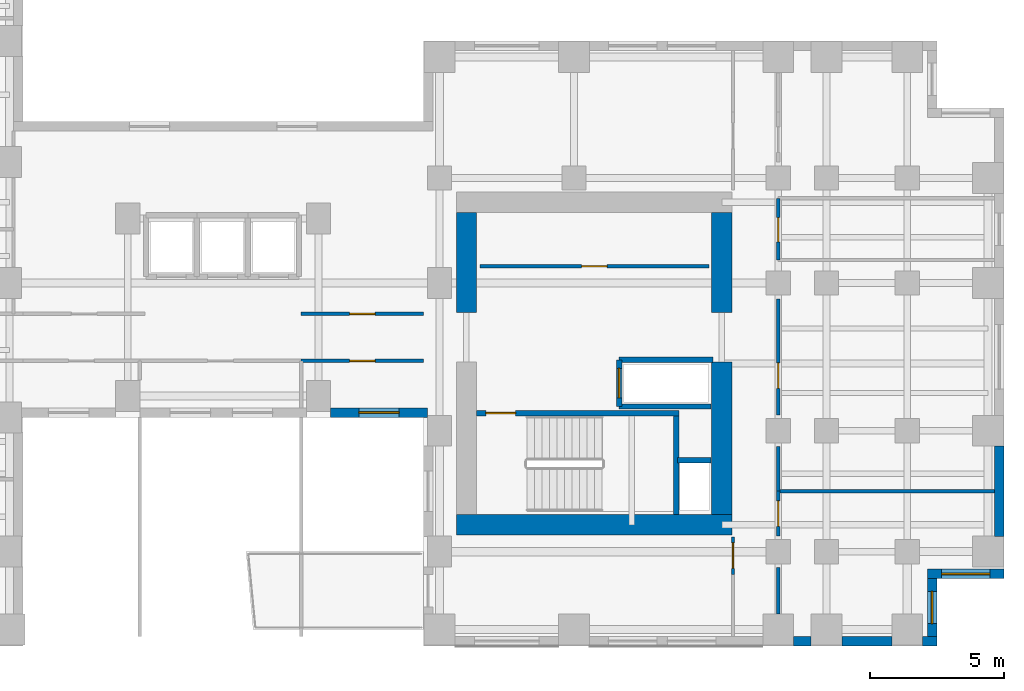
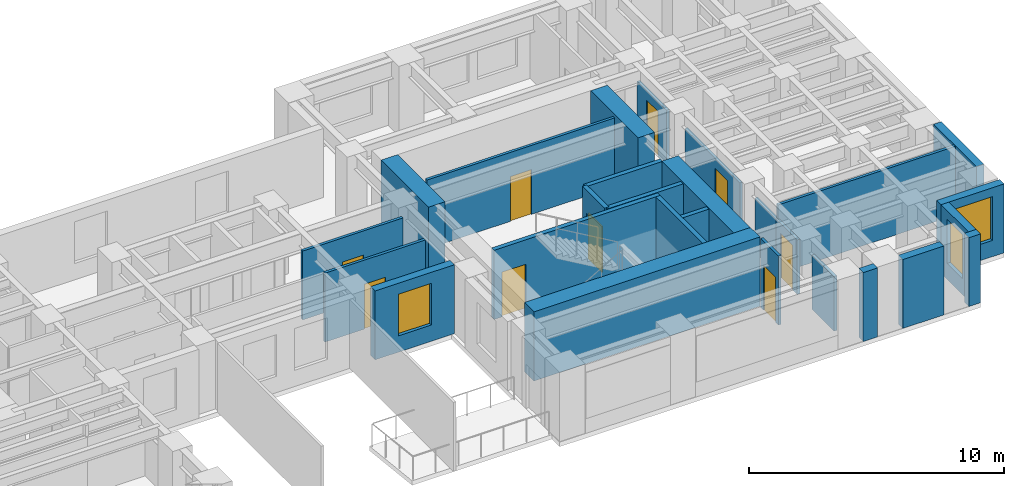
# One storey, part 7 of 12: 27 walls, 9 doors, 3 windows, 12 openings.
"""IFC4 building model written with IfcOpenShell, lengths in metres."""

from ifc_helpers import new_model, si_unit, direction, frame, frame_2d, origin, place, context, subcontext, project, spatial, rectangle, extrude, source, transform, mapped, material, layer, layer_set, type_object, element, fill, save


model = new_model("IFC4")

# Units and contexts
model_context = context("Model", 3, precision=1e-05, world=origin(), true_north=direction((0.0, 1.0)))
body_context = subcontext(model_context, "Body", "Model", "MODEL_VIEW")
ifc_project = project(units=[si_unit("LENGTHUNIT", "METRE"), si_unit("AREAUNIT", "SQUARE_METRE"), si_unit("VOLUMEUNIT", "CUBIC_METRE"), si_unit("PLANEANGLEUNIT", "RADIAN"), si_unit("MASSUNIT", "GRAM", prefix="KILO")], contexts=[model_context])

# Site, building, storey
site_placement = place(None, origin())
site = spatial("IfcSite", under=ifc_project, at=site_placement, CompositionType="ELEMENT")
building_placement = place(site_placement, origin())
building = spatial("IfcBuilding", under=site, at=building_placement, Name="Kharzan Plaza Tower", CompositionType="ELEMENT")
storey_placement = place(building_placement, frame((0.0, 0.0, 135.0)))
storey = spatial("IfcBuildingStorey", under=building, at=storey_placement, Name="L36", CompositionType="ELEMENT", Elevation=135.0)

# Wall, opening, window
ifc_material_1 = material(Name="Concrete C40/50", Category="concrete")
ifc_layer_1 = layer(ifc_material_1, 0.35009765625)
ifc_layer_set_1 = layer_set([ifc_layer_1], Name="Concrete C40/50")
wall_type_1 = type_object("IfcWallType", Name="WL-EXT-MAS-Z2", PredefinedType="SOLIDWALL", material=ifc_layer_set_1)
wall_1_placement = place(storey_placement, frame((30.947998046875, 8.675048828125, 0.0), z_axis=(0.0, 0.0, 1.0), x_axis=(1.0, 0.0, 0.0)))
wall_1 = element("IfcWall", 1, at=wall_1_placement, inside=storey, type_object=wall_type_1, Name="L36 Masonry-Frame Exterior Wall 36", PredefinedType="SOLIDWALL", context=body_context, shape_type="SweptSolid", body=[
    extrude(rectangle(XDim=3.60400390625, YDim=0.35009765625, at=frame_2d((1.802001953125, 0.0))), origin(), (0.0, 0.0, 1.0), 3.304931640625),
])
opening_1_placement = place(wall_1_placement, frame((1.052001953125, 0.0, 0.780029296875)))
opening_1 = element("IfcOpeningElement", 2, at=opening_1_placement, cuts=wall_1, Name="Opening W5", PredefinedType="OPENING", context=body_context, shape_type="SweptSolid", body=[
    extrude(rectangle(XDim=1.5, YDim=2.0, at=frame_2d((0.75, 1.0))), frame((0.0, 0.18505859375, 0.0), z_axis=(0.0, -1.0, 0.0), x_axis=(1.0, 0.0, 0.0)), (0.0, 0.0, 1.0), 0.3701171875),
])
ifc_material_2 = material(Name="Low-E Double Glazing", Category="glass")
window_type_1 = type_object("IfcWindowType", Name="WN-SLT-1500x2000", PartitioningType="SINGLE_PANEL", PredefinedType="WINDOW", material=ifc_material_2)
shared_shape_1 = source(origin(), body_context, "Body", "SweptSolid", [
    extrude(rectangle(XDim=1.5, YDim=2.0, at=frame_2d((0.75, 1.0))), frame((0.0, 0.030029296875, 0.0), z_axis=(0.0, -1.0, 0.0), x_axis=(1.0, 0.0, 0.0)), (0.0, 0.0, 1.0), 0.06005859375),
])
window_1_placement = place(opening_1_placement, origin())
window_1 = element("IfcWindow", 3, at=window_1_placement, inside=storey, type_object=window_type_1, Name="L36 Recessed Solar-Control Window 36-1", OverallHeight=2.0, OverallWidth=1.5, PartitioningType="SINGLE_PANEL", PredefinedType="WINDOW", context=body_context, shape_type="MappedRepresentation", body=[
    mapped(shared_shape_1, transform((0.0, 0.0, 0.0), x_axis=(1.0, 0.0, 0.0), y_axis=(0.0, 1.0, 0.0), z_axis=(0.0, 0.0, 1.0))),
])
fill(opening_1, window_1)

wall_2_placement = place(storey_placement, frame((53.324951171875, 0.347900390625, 0.0), z_axis=(0.0, 0.0, 1.0), x_axis=(0.0, 1.0, 0.0)))
wall_2 = element("IfcWall", 4, at=wall_2_placement, inside=storey, type_object=wall_type_1, Name="L36 Masonry-Frame Exterior Wall 44", PredefinedType="SOLIDWALL", context=body_context, shape_type="SweptSolid", body=[
    extrude(rectangle(XDim=2.154052734375, YDim=0.35009765625, at=frame_2d((1.0771484375, 0.0))), origin(), (0.0, 0.0, 1.0), 3.304931640625),
])
opening_2_placement = place(wall_2_placement, frame((0.47705078125, 0.0, 0.780029296875)))
opening_2 = element("IfcOpeningElement", 5, at=opening_2_placement, cuts=wall_2, Name="Opening W3", PredefinedType="OPENING", context=body_context, shape_type="SweptSolid", body=[
    extrude(rectangle(XDim=1.199951171875, YDim=2.10009765625, at=frame_2d((0.60009765625, 1.050048828125))), frame((0.0, 0.18505859375, 0.0), z_axis=(0.0, -1.0, 0.0), x_axis=(1.0, 0.0, 0.0)), (0.0, 0.0, 1.0), 0.3701171875),
])
window_type_2 = type_object("IfcWindowType", Name="WN-REC-1200x2100", PartitioningType="SINGLE_PANEL", PredefinedType="WINDOW", material=ifc_material_2)
shared_shape_2 = source(origin(), body_context, "Body", "SweptSolid", [
    extrude(rectangle(XDim=1.199951171875, YDim=2.10009765625, at=frame_2d((0.60009765625, 1.050048828125))), frame((0.0, 0.030029296875, 0.0), z_axis=(0.0, -1.0, 0.0), x_axis=(1.0, 0.0, 0.0)), (0.0, 0.0, 1.0), 0.06005859375),
])
window_2_placement = place(opening_2_placement, origin())
window_2 = element("IfcWindow", 6, at=window_2_placement, inside=storey, type_object=window_type_2, Name="L36 Recessed Solar-Control Window 44-1", OverallHeight=2.10009765625, OverallWidth=1.199951171875, PartitioningType="SINGLE_PANEL", PredefinedType="WINDOW", context=body_context, shape_type="MappedRepresentation", body=[
    mapped(shared_shape_2, transform((0.0, 0.0, 0.0), x_axis=(1.0, 0.0, 0.0), y_axis=(0.0, 1.0, 0.0), z_axis=(0.0, 0.0, 1.0))),
])
fill(opening_2, window_2)

wall_3_placement = place(storey_placement, frame((53.14990234375, 2.675048828125, 0.0), z_axis=(0.0, 0.0, 1.0), x_axis=(1.0, 0.0, 0.0)))
wall_3 = element("IfcWall", 7, at=wall_3_placement, inside=storey, type_object=wall_type_1, Name="L36 Masonry-Frame Exterior Wall 45", PredefinedType="SOLIDWALL", context=body_context, shape_type="SweptSolid", body=[
    extrude(rectangle(XDim=2.85009765625, YDim=0.35009765625, at=frame_2d((1.425048828125, 0.0))), origin(), (0.0, 0.0, 1.0), 3.304931640625),
])
opening_3_placement = place(wall_3_placement, frame((0.52490234375, 0.0, 0.780029296875)))
opening_3 = element("IfcOpeningElement", 8, at=opening_3_placement, cuts=wall_3, Name="Opening W1", PredefinedType="OPENING", context=body_context, shape_type="SweptSolid", body=[
    extrude(rectangle(XDim=1.800048828125, YDim=2.10009765625, at=frame_2d((0.89990234375, 1.050048828125))), frame((0.0, 0.18505859375, 0.0), z_axis=(0.0, -1.0, 0.0), x_axis=(1.0, 0.0, 0.0)), (0.0, 0.0, 1.0), 0.3701171875),
])
window_type_3 = type_object("IfcWindowType", Name="WN-REC-1800x2100", PartitioningType="SINGLE_PANEL", PredefinedType="WINDOW", material=ifc_material_2)
shared_shape_3 = source(origin(), body_context, "Body", "SweptSolid", [
    extrude(rectangle(XDim=1.800048828125, YDim=2.10009765625, at=frame_2d((0.89990234375, 1.050048828125))), frame((0.0, 0.030029296875, 0.0), z_axis=(0.0, -1.0, 0.0), x_axis=(1.0, 0.0, 0.0)), (0.0, 0.0, 1.0), 0.06005859375),
])
window_3_placement = place(opening_3_placement, origin())
window_3 = element("IfcWindow", 9, at=window_3_placement, inside=storey, type_object=window_type_3, Name="L36 Recessed Solar-Control Window 45-1", OverallHeight=2.10009765625, OverallWidth=1.800048828125, PartitioningType="SINGLE_PANEL", PredefinedType="WINDOW", context=body_context, shape_type="MappedRepresentation", body=[
    mapped(shared_shape_3, transform((0.0, 0.0, 0.0), x_axis=(1.0, 0.0, 0.0), y_axis=(0.0, 1.0, 0.0), z_axis=(0.0, 0.0, 1.0))),
])
fill(opening_3, window_3)

# Wall, opening, door
ifc_material_3 = material(Name="Fire-Rated Gypsum Board Partition", Category="gypsum")
ifc_layer_2 = layer(ifc_material_3, 0.125)
ifc_layer_set_2 = layer_set([ifc_layer_2], Name="Fire-Rated Gypsum Board Partition")
wall_type_2 = type_object("IfcWallType", Name="WL-INT-PART-125", PredefinedType="PARTITIONING", material=ifc_layer_set_2)
wall_4_placement = place(storey_placement, frame((36.5, 14.1201171875, 0.0), z_axis=(0.0, 0.0, 1.0), x_axis=(1.0, 0.0, 0.0)))
wall_4 = element("IfcWall", 10, at=wall_4_placement, inside=storey, type_object=wall_type_2, Name="L36 Interior Partition CB-RBLS1", PredefinedType="PARTITIONING", context=body_context, shape_type="SweptSolid", body=[
    extrude(rectangle(XDim=8.52001953125, YDim=0.125, at=frame_2d((4.260009765625, 0.0))), origin(), (0.0, 0.0, 1.0), 3.304931640625),
])
opening_4_placement = place(wall_4_placement, frame((3.784912109375, 0.0, 0.0)))
opening_4 = element("IfcOpeningElement", 11, at=opening_4_placement, cuts=wall_4, Name="Opening OD1", PredefinedType="OPENING", context=body_context, shape_type="SweptSolid", body=[
    extrude(rectangle(XDim=0.949951171875, YDim=2.14990234375, at=frame_2d((0.47509765625, 1.074951171875))), frame((0.0, 0.072509765625, 0.0), z_axis=(0.0, -1.0, 0.0), x_axis=(1.0, 0.0, 0.0)), (0.0, 0.0, 1.0), 0.14501953125),
])
ifc_material_4 = material(Name="Acoustic Solid-Core Stained Oak", Category="timber")
door_type_1 = type_object("IfcDoorType", Name="DR-OFF-SINGLE", OperationType="NOTDEFINED", PredefinedType="DOOR", material=ifc_material_4)
shared_shape_4 = source(origin(), body_context, "Body", "SweptSolid", [
    extrude(rectangle(XDim=0.949951171875, YDim=2.14990234375, at=frame_2d((0.47509765625, 1.074951171875))), frame((0.0, 0.02490234375, 0.0), z_axis=(0.0, -1.0, 0.0), x_axis=(1.0, 0.0, 0.0)), (0.0, 0.0, 1.0), 0.050048828125),
])
door_1_placement = place(opening_4_placement, origin())
door_1 = element("IfcDoor", 12, at=door_1_placement, inside=storey, type_object=door_type_1, Name="L36 Mail Room Door", OperationType="SINGLE_SWING_LEFT", OverallHeight=2.14990234375, OverallWidth=0.949951171875, PredefinedType="DOOR", context=body_context, shape_type="MappedRepresentation", body=[
    mapped(shared_shape_4, transform((0.0, 0.0, 0.0), x_axis=(1.0, 0.0, 0.0), y_axis=(0.0, 1.0, 0.0), z_axis=(0.0, 0.0, 1.0))),
])
fill(opening_4, door_1)

wall_5_placement = place(storey_placement, frame((47.60009765625, 4.090087890625, 0.0), z_axis=(0.0, 0.0, 1.0), x_axis=(0.0, 1.0, 0.0)))
wall_5 = element("IfcWall", 13, at=wall_5_placement, inside=storey, type_object=wall_type_2, Name="L36 Interior Partition SH-B3W0", PredefinedType="PARTITIONING", context=body_context, shape_type="SweptSolid", body=[
    extrude(rectangle(XDim=1.659912109375, YDim=0.125, at=frame_2d((0.830078125, 0.0))), origin(), (0.0, 0.0, 1.0), 2.616943359375),
])
opening_5_placement = place(wall_5_placement, frame((0.35498046875, 0.0, 0.0)))
opening_5 = element("IfcOpeningElement", 14, at=opening_5_placement, cuts=wall_5, Name="Opening OD1", PredefinedType="OPENING", context=body_context, shape_type="SweptSolid", body=[
    extrude(rectangle(XDim=0.949951171875, YDim=2.14990234375, at=frame_2d((0.47509765625, 1.074951171875))), frame((0.0, 0.072509765625, 0.0), z_axis=(0.0, -1.0, 0.0), x_axis=(1.0, 0.0, 0.0)), (0.0, 0.0, 1.0), 0.14501953125),
])
door_2_placement = place(opening_5_placement, origin())
door_2 = element("IfcDoor", 15, at=door_2_placement, inside=storey, type_object=door_type_1, Name="L36 Wing B Office 1 Door", OperationType="SINGLE_SWING_RIGHT", OverallHeight=2.14990234375, OverallWidth=0.949951171875, PredefinedType="DOOR", context=body_context, shape_type="MappedRepresentation", body=[
    mapped(shared_shape_4, transform((0.0, 0.0, 0.0), x_axis=(1.0, 0.0, 0.0), y_axis=(0.0, 1.0, 0.0), z_axis=(0.0, 0.0, 1.0))),
])
fill(opening_5, door_2)

wall_6_placement = place(storey_placement, frame((47.60009765625, 8.590087890625, 0.0), z_axis=(0.0, 0.0, 1.0), x_axis=(0.0, 1.0, 0.0)))
wall_6 = element("IfcWall", 16, at=wall_6_placement, inside=storey, type_object=wall_type_2, Name="L36 Interior Partition SH-B3W1-S2", PredefinedType="PARTITIONING", context=body_context, shape_type="SweptSolid", body=[
    extrude(rectangle(XDim=4.31982421875, YDim=0.125, at=frame_2d((2.159912109375, 0.0))), origin(), (0.0, 0.0, 1.0), 2.616943359375),
])
opening_6_placement = place(wall_6_placement, frame((0.985107421875, 0.0, 0.0)))
opening_6 = element("IfcOpeningElement", 17, at=opening_6_placement, cuts=wall_6, Name="Opening OD1", PredefinedType="OPENING", context=body_context, shape_type="SweptSolid", body=[
    extrude(rectangle(XDim=0.949951171875, YDim=2.14990234375, at=frame_2d((0.47509765625, 1.074951171875))), frame((0.0, 0.072509765625, 0.0), z_axis=(0.0, -1.0, 0.0), x_axis=(1.0, 0.0, 0.0)), (0.0, 0.0, 1.0), 0.14501953125),
])
door_3_placement = place(opening_6_placement, origin())
door_3 = element("IfcDoor", 18, at=door_3_placement, inside=storey, type_object=door_type_1, Name="L36 Wing B Office 2 Door", OperationType="SINGLE_SWING_RIGHT", OverallHeight=2.14990234375, OverallWidth=0.949951171875, PredefinedType="DOOR", context=body_context, shape_type="MappedRepresentation", body=[
    mapped(shared_shape_4, transform((0.0, 0.0, 0.0), x_axis=(1.0, 0.0, 0.0), y_axis=(0.0, 1.0, 0.0), z_axis=(0.0, 0.0, 1.0))),
])
fill(opening_6, door_3)

wall_7_placement = place(storey_placement, frame((47.60009765625, 14.35009765625, 0.0), z_axis=(0.0, 0.0, 1.0), x_axis=(0.0, 1.0, 0.0)))
wall_7 = element("IfcWall", 19, at=wall_7_placement, inside=storey, type_object=wall_type_2, Name="L36 Interior Partition SH-B3WC", PredefinedType="PARTITIONING", context=body_context, shape_type="SweptSolid", body=[
    extrude(rectangle(XDim=2.2998046875, YDim=0.125, at=frame_2d((1.14990234375, 0.0))), origin(), (0.0, 0.0, 1.0), 2.616943359375),
])
opening_7_placement = place(wall_7_placement, frame((0.675048828125, 0.0, 0.0)))
opening_7 = element("IfcOpeningElement", 20, at=opening_7_placement, cuts=wall_7, Name="Opening WD1", PredefinedType="OPENING", context=body_context, shape_type="SweptSolid", body=[
    extrude(rectangle(XDim=0.89990234375, YDim=2.14990234375, at=frame_2d((0.449951171875, 1.074951171875))), frame((0.0, 0.072509765625, 0.0), z_axis=(0.0, -1.0, 0.0), x_axis=(1.0, 0.0, 0.0)), (0.0, 0.0, 1.0), 0.14501953125),
])
ifc_material_5 = material(Name="Moisture-Resistant Fire-Rated Laminate", Category="timber")
door_type_2 = type_object("IfcDoorType", Name="DR-WC-900", OperationType="NOTDEFINED", PredefinedType="DOOR", material=ifc_material_5)
shared_shape_5 = source(origin(), body_context, "Body", "SweptSolid", [
    extrude(rectangle(XDim=0.89990234375, YDim=2.14990234375, at=frame_2d((0.449951171875, 1.074951171875))), frame((0.0, 0.02490234375, 0.0), z_axis=(0.0, -1.0, 0.0), x_axis=(1.0, 0.0, 0.0)), (0.0, 0.0, 1.0), 0.050048828125),
])
door_4_placement = place(opening_7_placement, origin())
door_4 = element("IfcDoor", 21, at=door_4_placement, inside=storey, type_object=door_type_2, Name="L36 Wing B Washroom Door", OperationType="SINGLE_SWING_RIGHT", OverallHeight=2.14990234375, OverallWidth=0.89990234375, PredefinedType="DOOR", context=body_context, shape_type="MappedRepresentation", body=[
    mapped(shared_shape_5, transform((0.0, 0.0, 0.0), x_axis=(1.0, 0.0, 0.0), y_axis=(0.0, 1.0, 0.0), z_axis=(0.0, 0.0, 1.0))),
])
fill(opening_7, door_4)

wall_8_placement = place(storey_placement, frame((45.919921875, 2.64990234375, 0.0), z_axis=(0.0, 0.0, 1.0), x_axis=(0.0, 1.0, 0.0)))
wall_8 = element("IfcWall", 22, at=wall_8_placement, inside=storey, type_object=wall_type_2, Name="L36 Interior Partition SH-RBSE", PredefinedType="PARTITIONING", context=body_context, shape_type="SweptSolid", body=[
    extrude(rectangle(XDim=1.400146484375, YDim=0.125, at=frame_2d((0.7001953125, 0.0))), origin(), (0.0, 0.0, 1.0), 3.304931640625),
])
opening_8_placement = place(wall_8_placement, frame((0.22509765625, 0.0, 0.0)))
opening_8 = element("IfcOpeningElement", 23, at=opening_8_placement, cuts=wall_8, Name="Opening OD1", PredefinedType="OPENING", context=body_context, shape_type="SweptSolid", body=[
    extrude(rectangle(XDim=0.949951171875, YDim=2.14990234375, at=frame_2d((0.47509765625, 1.074951171875))), frame((0.0, 0.072509765625, 0.0), z_axis=(0.0, -1.0, 0.0), x_axis=(1.0, 0.0, 0.0)), (0.0, 0.0, 1.0), 0.14501953125),
])
door_5_placement = place(opening_8_placement, origin())
door_5 = element("IfcDoor", 24, at=door_5_placement, inside=storey, type_object=door_type_1, Name="L36 South-East Corner Office Door", OperationType="SINGLE_SWING_RIGHT", OverallHeight=2.14990234375, OverallWidth=0.949951171875, PredefinedType="DOOR", context=body_context, shape_type="MappedRepresentation", body=[
    mapped(shared_shape_4, transform((0.0, 0.0, 0.0), x_axis=(1.0, 0.0, 0.0), y_axis=(0.0, 1.0, 0.0), z_axis=(0.0, 0.0, 1.0))),
])
fill(opening_8, door_5)

wall_9_placement = place(storey_placement, frame((29.85009765625, 12.35009765625, 0.0), z_axis=(0.0, 0.0, 1.0), x_axis=(1.0, 0.0, 0.0)))
wall_9 = element("IfcWall", 25, at=wall_9_placement, inside=storey, type_object=wall_type_2, Name="L36 Interior Partition SH-SPNE1", PredefinedType="PARTITIONING", context=body_context, shape_type="SweptSolid", body=[
    extrude(rectangle(XDim=4.5498046875, YDim=0.125, at=frame_2d((2.27490234375, 0.0))), origin(), (0.0, 0.0, 1.0), 3.304931640625),
])
opening_9_placement = place(wall_9_placement, frame((1.800048828125, 0.0, 0.0)))
opening_9 = element("IfcOpeningElement", 26, at=opening_9_placement, cuts=wall_9, Name="Opening OD1", PredefinedType="OPENING", context=body_context, shape_type="SweptSolid", body=[
    extrude(rectangle(XDim=0.949951171875, YDim=2.14990234375, at=frame_2d((0.47509765625, 1.074951171875))), frame((0.0, 0.072509765625, 0.0), z_axis=(0.0, -1.0, 0.0), x_axis=(1.0, 0.0, 0.0)), (0.0, 0.0, 1.0), 0.14501953125),
])
door_6_placement = place(opening_9_placement, origin())
door_6 = element("IfcDoor", 27, at=door_6_placement, inside=storey, type_object=door_type_1, Name="L36 North-East Spine Door", OperationType="SINGLE_SWING_LEFT", OverallHeight=2.14990234375, OverallWidth=0.949951171875, PredefinedType="DOOR", context=body_context, shape_type="MappedRepresentation", body=[
    mapped(shared_shape_4, transform((0.0, 0.0, 0.0), x_axis=(1.0, 0.0, 0.0), y_axis=(0.0, 1.0, 0.0), z_axis=(0.0, 0.0, 1.0))),
])
fill(opening_9, door_6)

wall_10_placement = place(storey_placement, frame((29.85009765625, 10.60009765625, 0.0), z_axis=(0.0, 0.0, 1.0), x_axis=(1.0, 0.0, 0.0)))
wall_10 = element("IfcWall", 28, at=wall_10_placement, inside=storey, type_object=wall_type_2, Name="L36 Interior Partition SH-SPS3", PredefinedType="PARTITIONING", context=body_context, shape_type="SweptSolid", body=[
    extrude(rectangle(XDim=4.5498046875, YDim=0.125, at=frame_2d((2.27490234375, 0.0))), origin(), (0.0, 0.0, 1.0), 3.304931640625),
])
opening_10_placement = place(wall_10_placement, frame((1.800048828125, 0.0, 0.0)))
opening_10 = element("IfcOpeningElement", 29, at=opening_10_placement, cuts=wall_10, Name="Opening OD1", PredefinedType="OPENING", context=body_context, shape_type="SweptSolid", body=[
    extrude(rectangle(XDim=0.949951171875, YDim=2.14990234375, at=frame_2d((0.47509765625, 1.074951171875))), frame((0.0, 0.072509765625, 0.0), z_axis=(0.0, -1.0, 0.0), x_axis=(1.0, 0.0, 0.0)), (0.0, 0.0, 1.0), 0.14501953125),
])
door_7_placement = place(opening_10_placement, origin())
door_7 = element("IfcDoor", 30, at=door_7_placement, inside=storey, type_object=door_type_1, Name="L36 Spine Studio 3 Door", OperationType="SINGLE_SWING_LEFT", OverallHeight=2.14990234375, OverallWidth=0.949951171875, PredefinedType="DOOR", context=body_context, shape_type="MappedRepresentation", body=[
    mapped(shared_shape_4, transform((0.0, 0.0, 0.0), x_axis=(1.0, 0.0, 0.0), y_axis=(0.0, 1.0, 0.0), z_axis=(0.0, 0.0, 1.0))),
])
fill(opening_10, door_7)

ifc_layer_3 = layer(ifc_material_1, 0.199951171875)
ifc_layer_set_3 = layer_set([ifc_layer_3], Name="Concrete C40/50")
wall_type_3 = type_object("IfcWallType", Name="WL-INT-SHAFT-200", PredefinedType="PARTITIONING", material=ifc_layer_set_3)
wall_11_placement = place(storey_placement, frame((41.679931640625, 8.89990234375, 0.0), z_axis=(0.0, 0.0, 1.0), x_axis=(0.0, 1.0, 0.0)))
wall_11 = element("IfcWall", 31, at=wall_11_placement, inside=storey, type_object=wall_type_3, Name="L36 Interior Partition SHF-SVL-2-W", PredefinedType="PARTITIONING", context=body_context, shape_type="SweptSolid", body=[
    extrude(rectangle(XDim=1.739990234375, YDim=0.199951171875, at=frame_2d((0.8701171875, 0.0))), origin(), (0.0, 0.0, 1.0), 3.304931640625),
])
opening_11_placement = place(wall_11_placement, frame((0.320068359375, 0.0, 0.0)))
opening_11 = element("IfcOpeningElement", 32, at=opening_11_placement, cuts=wall_11, Name="Opening LD", PredefinedType="OPENING", context=body_context, shape_type="SweptSolid", body=[
    extrude(rectangle(XDim=1.10009765625, YDim=2.199951171875, at=frame_2d((0.550048828125, 1.10009765625))), frame((0.0, 0.10986328125, 0.0), z_axis=(0.0, -1.0, 0.0), x_axis=(1.0, 0.0, 0.0)), (0.0, 0.0, 1.0), 0.219970703125),
])
ifc_material_6 = material(Name="Brushed Stainless Steel", Category="steel")
door_type_3 = type_object("IfcDoorType", Name="DR-LIFT-SLIDE", OperationType="SLIDING_TO_LEFT", PredefinedType="DOOR", material=ifc_material_6)
shared_shape_6 = source(origin(), body_context, "Body", "SweptSolid", [
    extrude(rectangle(XDim=1.10009765625, YDim=2.199951171875, at=frame_2d((0.550048828125, 1.10009765625))), frame((0.0, 0.02490234375, 0.0), z_axis=(0.0, -1.0, 0.0), x_axis=(1.0, 0.0, 0.0)), (0.0, 0.0, 1.0), 0.050048828125),
])
door_8_placement = place(opening_11_placement, origin())
door_8 = element("IfcDoor", 33, at=door_8_placement, inside=storey, type_object=door_type_3, Name="L36 Service Lift SVL-2 Sliding Landing Door", OperationType="SLIDING_TO_LEFT", OverallHeight=2.199951171875, OverallWidth=1.10009765625, PredefinedType="DOOR", context=body_context, shape_type="MappedRepresentation", body=[
    mapped(shared_shape_6, transform((0.0, 0.0, 0.0), x_axis=(1.0, 0.0, 0.0), y_axis=(0.0, 1.0, 0.0), z_axis=(0.0, 0.0, 1.0))),
])
fill(opening_11, door_8)

ifc_material_7 = material(Name="Concrete C50/60", Category="concrete")
ifc_layer_4 = layer(ifc_material_7, 0.199951171875)
ifc_layer_set_4 = layer_set([ifc_layer_4], Name="Concrete C50/60")
wall_type_4 = type_object("IfcWallType", Name="WL-SHAFT-RC200", PredefinedType="SHEAR", material=ifc_layer_set_4)
wall_12_placement = place(storey_placement, frame((36.376953125, 8.655029296875, 0.0), z_axis=(0.0, 0.0, 1.0), x_axis=(1.0, 0.0, 0.0)))
wall_12 = element("IfcWall", 34, at=wall_12_placement, inside=storey, type_object=wall_type_4, Name="L36 Stair ST-3 North RC Shaft Wall", PredefinedType="SHEAR", context=body_context, shape_type="SweptSolid", body=[
    extrude(rectangle(XDim=7.528076171875, YDim=0.199951171875, at=frame_2d((3.76416015625, 0.0))), origin(), (0.0, 0.0, 1.0), 3.320068359375),
])
opening_12_placement = place(wall_12_placement, frame((0.35009765625, 0.0, 0.0)))
opening_12 = element("IfcOpeningElement", 35, at=opening_12_placement, cuts=wall_12, Name="Opening SD1", PredefinedType="OPENING", context=body_context, shape_type="SweptSolid", body=[
    extrude(rectangle(XDim=1.10009765625, YDim=2.14990234375, at=frame_2d((0.550048828125, 1.074951171875))), frame((0.0, 0.10986328125, 0.0), z_axis=(0.0, -1.0, 0.0), x_axis=(1.0, 0.0, 0.0)), (0.0, 0.0, 1.0), 0.219970703125),
])
ifc_material_8 = material(Name="Fire-Rated Hollow Galvanized Steel", Category="steel")
door_type_4 = type_object("IfcDoorType", Name="DR-STAIR-FD120", OperationType="NOTDEFINED", PredefinedType="DOOR", material=ifc_material_8)
shared_shape_7 = source(origin(), body_context, "Body", "SweptSolid", [
    extrude(rectangle(XDim=1.10009765625, YDim=2.14990234375, at=frame_2d((0.550048828125, 1.074951171875))), frame((0.0, 0.02490234375, 0.0), z_axis=(0.0, -1.0, 0.0), x_axis=(1.0, 0.0, 0.0)), (0.0, 0.0, 1.0), 0.050048828125),
])
door_9_placement = place(opening_12_placement, origin())
door_9 = element("IfcDoor", 36, at=door_9_placement, inside=storey, type_object=door_type_4, Name="L36 Stair ST-3 Fire Exit Door", OperationType="SINGLE_SWING_RIGHT", OverallHeight=2.14990234375, OverallWidth=1.10009765625, PredefinedType="DOOR", context=body_context, shape_type="MappedRepresentation", body=[
    mapped(shared_shape_7, transform((0.0, 0.0, 0.0), x_axis=(1.0, 0.0, 0.0), y_axis=(0.0, 1.0, 0.0), z_axis=(0.0, 0.0, 1.0))),
])
fill(opening_12, door_9)

# Walls
shared_shape_8 = source(origin(), body_context, "Body", "SweptSolid", [
    extrude(rectangle(XDim=3.489990234375, YDim=0.199951171875, at=frame_2d((1.7451171875, 0.0))), origin(), (0.0, 0.0, 1.0), 3.304931640625),
])
wall_13_placement = place(storey_placement, frame((41.679931640625, 10.639892578125, 0.0), z_axis=(0.0, 0.0, 1.0), x_axis=(1.0, 0.0, 0.0)))
element("IfcWall", 37, at=wall_13_placement, inside=storey, type_object=wall_type_3, Name="L36 Interior Partition SHF-SVL-2-N", PredefinedType="PARTITIONING", context=body_context, shape_type="MappedRepresentation", body=[
    mapped(shared_shape_8, transform((0.0, 0.0, 0.0), x_axis=(1.0, 0.0, 0.0), y_axis=(0.0, 1.0, 0.0), z_axis=(0.0, 0.0, 1.0))),
])
ifc_material_9 = material(Name="Concrete C60/75", Category="concrete")
ifc_layer_5 = layer(ifc_material_9, 0.75)
ifc_layer_set_5 = layer_set([ifc_layer_5], Name="Concrete C60/75")
wall_type_5 = type_object("IfcWallType", Name="WL-CORE-750", PredefinedType="SHEAR", material=ifc_layer_set_5)
shared_shape_9 = source(origin(), body_context, "Body", "SweptSolid", [
    extrude(rectangle(XDim=5.675048828125, YDim=0.75, at=frame_2d((2.83740234375, 0.0))), origin(), (0.0, 0.0, 1.0), 3.320068359375),
])
wall_14_placement = place(storey_placement, frame((45.5, 4.875, 0.0), z_axis=(0.0, 0.0, 1.0), x_axis=(0.0, 1.0, 0.0)))
element("IfcWall", 38, at=wall_14_placement, inside=storey, type_object=wall_type_5, Name="L36 CORE-B east shear pier 1", PredefinedType="SHEAR", context=body_context, shape_type="MappedRepresentation", body=[
    mapped(shared_shape_9, transform((0.0, 0.0, 0.0), x_axis=(1.0, 0.0, 0.0), y_axis=(0.0, 1.0, 0.0), z_axis=(0.0, 0.0, 1.0))),
])
shared_shape_10 = source(origin(), body_context, "Body", "SweptSolid", [
    extrude(rectangle(XDim=3.72509765625, YDim=0.75, at=frame_2d((1.862548828125, 0.0))), origin(), (0.0, 0.0, 1.0), 3.320068359375),
])
for number, where, z_axis, x_axis, name in (
    (39, (45.5, 12.39990234375, 0.0), (0.0, 0.0, 1.0), (0.0, 1.0, 0.0), "L36 CORE-B east shear pier 2"),
    (40, (36.0, 12.39990234375, 0.0), (0.0, 0.0, 1.0), (0.0, 1.0, 0.0), "L36 CORE-B west shear pier 2"),
):
    element("IfcWall", number, at=place(storey_placement, frame(where, z_axis=z_axis, x_axis=x_axis)), inside=storey, type_object=wall_type_5, Name=name, PredefinedType="SHEAR", context=body_context, shape_type="MappedRepresentation", body=[
        mapped(shared_shape_10, transform((0.0, 0.0, 0.0), x_axis=(1.0, 0.0, 0.0), y_axis=(0.0, 1.0, 0.0), z_axis=(0.0, 0.0, 1.0))),
    ])
shared_shape_11 = source(origin(), body_context, "Body", "SweptSolid", [
    extrude(rectangle(XDim=10.25, YDim=0.75, at=frame_2d((5.125, 0.0))), origin(), (0.0, 0.0, 1.0), 3.320068359375),
])
wall_15_placement = place(storey_placement, frame((35.625, 4.5, 0.0), z_axis=(0.0, 0.0, 1.0), x_axis=(1.0, 0.0, 0.0)))
element("IfcWall", 41, at=wall_15_placement, inside=storey, type_object=wall_type_5, Name="L36 CORE-B south RC shear wall", PredefinedType="SHEAR", context=body_context, shape_type="MappedRepresentation", body=[
    mapped(shared_shape_11, transform((0.0, 0.0, 0.0), x_axis=(1.0, 0.0, 0.0), y_axis=(0.0, 1.0, 0.0), z_axis=(0.0, 0.0, 1.0))),
])
shared_shape_12 = source(origin(), body_context, "Body", "SweptSolid", [
    extrude(rectangle(XDim=0.65380859375, YDim=0.35009765625, at=frame_2d((0.326904296875, 0.0))), origin(), (0.0, 0.0, 1.0), 3.304931640625),
])
wall_16_placement = place(storey_placement, frame((48.173095703125, 0.175048828125, 0.0), z_axis=(0.0, 0.0, 1.0), x_axis=(1.0, 0.0, 0.0)))
element("IfcWall", 42, at=wall_16_placement, inside=storey, type_object=wall_type_1, Name="L36 Masonry-Frame Exterior Wall 41", PredefinedType="SOLIDWALL", context=body_context, shape_type="MappedRepresentation", body=[
    mapped(shared_shape_12, transform((0.0, 0.0, 0.0), x_axis=(1.0, 0.0, 0.0), y_axis=(0.0, 1.0, 0.0), z_axis=(0.0, 0.0, 1.0))),
])
shared_shape_13 = source(origin(), body_context, "Body", "SweptSolid", [
    extrude(rectangle(XDim=1.85400390625, YDim=0.35009765625, at=frame_2d((0.927001953125, 0.0))), origin(), (0.0, 0.0, 1.0), 3.304931640625),
])
wall_17_placement = place(storey_placement, frame((49.972900390625, 0.175048828125, 0.0), z_axis=(0.0, 0.0, 1.0), x_axis=(1.0, 0.0, 0.0)))
element("IfcWall", 43, at=wall_17_placement, inside=storey, type_object=wall_type_1, Name="L36 Masonry-Frame Exterior Wall 42", PredefinedType="SOLIDWALL", context=body_context, shape_type="MappedRepresentation", body=[
    mapped(shared_shape_13, transform((0.0, 0.0, 0.0), x_axis=(1.0, 0.0, 0.0), y_axis=(0.0, 1.0, 0.0), z_axis=(0.0, 0.0, 1.0))),
])
shared_shape_14 = source(origin(), body_context, "Body", "SweptSolid", [
    extrude(rectangle(XDim=0.527099609375, YDim=0.35009765625, at=frame_2d((0.263671875, 0.0))), origin(), (0.0, 0.0, 1.0), 3.304931640625),
])
wall_18_placement = place(storey_placement, frame((52.972900390625, 0.175048828125, 0.0), z_axis=(0.0, 0.0, 1.0), x_axis=(1.0, 0.0, 0.0)))
element("IfcWall", 44, at=wall_18_placement, inside=storey, type_object=wall_type_1, Name="L36 Masonry-Frame Exterior Wall 43", PredefinedType="SOLIDWALL", context=body_context, shape_type="MappedRepresentation", body=[
    mapped(shared_shape_14, transform((0.0, 0.0, 0.0), x_axis=(1.0, 0.0, 0.0), y_axis=(0.0, 1.0, 0.0), z_axis=(0.0, 0.0, 1.0))),
])
shared_shape_15 = source(origin(), body_context, "Body", "SweptSolid", [
    extrude(rectangle(XDim=3.35400390625, YDim=0.35009765625, at=frame_2d((1.677001953125, 0.0))), origin(), (0.0, 0.0, 1.0), 3.304931640625),
])
wall_19_placement = place(storey_placement, frame((55.824951171875, 4.072998046875, 0.0), z_axis=(0.0, 0.0, 1.0), x_axis=(0.0, 1.0, 0.0)))
element("IfcWall", 45, at=wall_19_placement, inside=storey, type_object=wall_type_1, Name="L36 Masonry-Frame Exterior Wall 46", PredefinedType="SOLIDWALL", context=body_context, shape_type="MappedRepresentation", body=[
    mapped(shared_shape_15, transform((0.0, 0.0, 0.0), x_axis=(1.0, 0.0, 0.0), y_axis=(0.0, 1.0, 0.0), z_axis=(0.0, 0.0, 1.0))),
])
shared_shape_16 = source(origin(), body_context, "Body", "SweptSolid", [
    extrude(rectangle(XDim=8.0478515625, YDim=0.125, at=frame_2d((4.02392578125, 0.0))), origin(), (0.0, 0.0, 1.0), 3.304931640625),
])
wall_20_placement = place(storey_placement, frame((47.60009765625, 5.75, 0.0), z_axis=(0.0, 0.0, 1.0), x_axis=(1.0, 0.0, 0.0)))
element("IfcWall", 46, at=wall_20_placement, inside=storey, type_object=wall_type_2, Name="L36 Interior Partition SH-B3H-57", PredefinedType="PARTITIONING", context=body_context, shape_type="MappedRepresentation", body=[
    mapped(shared_shape_16, transform((0.0, 0.0, 0.0), x_axis=(1.0, 0.0, 0.0), y_axis=(0.0, 1.0, 0.0), z_axis=(0.0, 0.0, 1.0))),
])
shared_shape_17 = source(origin(), body_context, "Body", "SweptSolid", [
    extrude(rectangle(XDim=1.719970703125, YDim=0.125, at=frame_2d((0.85986328125, 0.0))), origin(), (0.0, 0.0, 1.0), 2.616943359375),
])
wall_21_placement = place(storey_placement, frame((47.60009765625, 1.18994140625, 0.0), z_axis=(0.0, 0.0, 1.0), x_axis=(0.0, 1.0, 0.0)))
element("IfcWall", 47, at=wall_21_placement, inside=storey, type_object=wall_type_2, Name="L36 Interior Partition SH-B3W0S", PredefinedType="PARTITIONING", context=body_context, shape_type="MappedRepresentation", body=[
    mapped(shared_shape_17, transform((0.0, 0.0, 0.0), x_axis=(1.0, 0.0, 0.0), y_axis=(0.0, 1.0, 0.0), z_axis=(0.0, 0.0, 1.0))),
])
shared_shape_18 = source(origin(), body_context, "Body", "SweptSolid", [
    extrude(rectangle(XDim=1.659912109375, YDim=0.125, at=frame_2d((0.830078125, 0.0))), origin(), (0.0, 0.0, 1.0), 2.616943359375),
])
wall_22_placement = place(storey_placement, frame((47.60009765625, 5.75, 0.0), z_axis=(0.0, 0.0, 1.0), x_axis=(0.0, 1.0, 0.0)))
element("IfcWall", 48, at=wall_22_placement, inside=storey, type_object=wall_type_2, Name="L36 Interior Partition SH-B3W1-S1", PredefinedType="PARTITIONING", context=body_context, shape_type="MappedRepresentation", body=[
    mapped(shared_shape_18, transform((0.0, 0.0, 0.0), x_axis=(1.0, 0.0, 0.0), y_axis=(0.0, 1.0, 0.0), z_axis=(0.0, 0.0, 1.0))),
])
shared_shape_19 = source(origin(), body_context, "Body", "SweptSolid", [
    extrude(rectangle(XDim=1.244873046875, YDim=0.199951171875, at=frame_2d((0.62255859375, 0.0))), origin(), (0.0, 0.0, 1.0), 3.304931640625),
])
wall_23_placement = place(storey_placement, frame((43.85009765625, 6.89990234375, 0.0), z_axis=(0.0, 0.0, 1.0), x_axis=(1.0, 0.0, 0.0)))
element("IfcWall", 49, at=wall_23_placement, inside=storey, type_object=wall_type_3, Name="L36 Interior Partition CB-RSRB-N", PredefinedType="PARTITIONING", context=body_context, shape_type="MappedRepresentation", body=[
    mapped(shared_shape_19, transform((0.0, 0.0, 0.0), x_axis=(1.0, 0.0, 0.0), y_axis=(0.0, 1.0, 0.0), z_axis=(0.0, 0.0, 1.0))),
])
shared_shape_20 = source(origin(), body_context, "Body", "SweptSolid", [
    extrude(rectangle(XDim=3.4150390625, YDim=0.199951171875, at=frame_2d((1.70751953125, 0.0))), origin(), (0.0, 0.0, 1.0), 3.304931640625),
])
wall_24_placement = place(storey_placement, frame((41.679931640625, 8.89990234375, 0.0), z_axis=(0.0, 0.0, 1.0), x_axis=(1.0, 0.0, 0.0)))
element("IfcWall", 50, at=wall_24_placement, inside=storey, type_object=wall_type_3, Name="L36 Interior Partition SHF-SVL-2-S", PredefinedType="PARTITIONING", context=body_context, shape_type="MappedRepresentation", body=[
    mapped(shared_shape_20, transform((0.0, 0.0, 0.0), x_axis=(1.0, 0.0, 0.0), y_axis=(0.0, 1.0, 0.0), z_axis=(0.0, 0.0, 1.0))),
])
shared_shape_21 = source(origin(), body_context, "Body", "SweptSolid", [
    extrude(rectangle(XDim=3.677978515625, YDim=0.199951171875, at=frame_2d((1.8388671875, 0.0))), origin(), (0.0, 0.0, 1.0), 3.320068359375),
])
wall_25_placement = place(storey_placement, frame((43.804931640625, 4.876953125, 0.0), z_axis=(0.0, 0.0, 1.0), x_axis=(0.0, 1.0, 0.0)))
element("IfcWall", 51, at=wall_25_placement, inside=storey, type_object=wall_type_4, Name="L36 Stair ST-3 East RC Shaft Wall", PredefinedType="SHEAR", context=body_context, shape_type="MappedRepresentation", body=[
    mapped(shared_shape_21, transform((0.0, 0.0, 0.0), x_axis=(1.0, 0.0, 0.0), y_axis=(0.0, 1.0, 0.0), z_axis=(0.0, 0.0, 1.0))),
])

save(model, "model.ifc")
